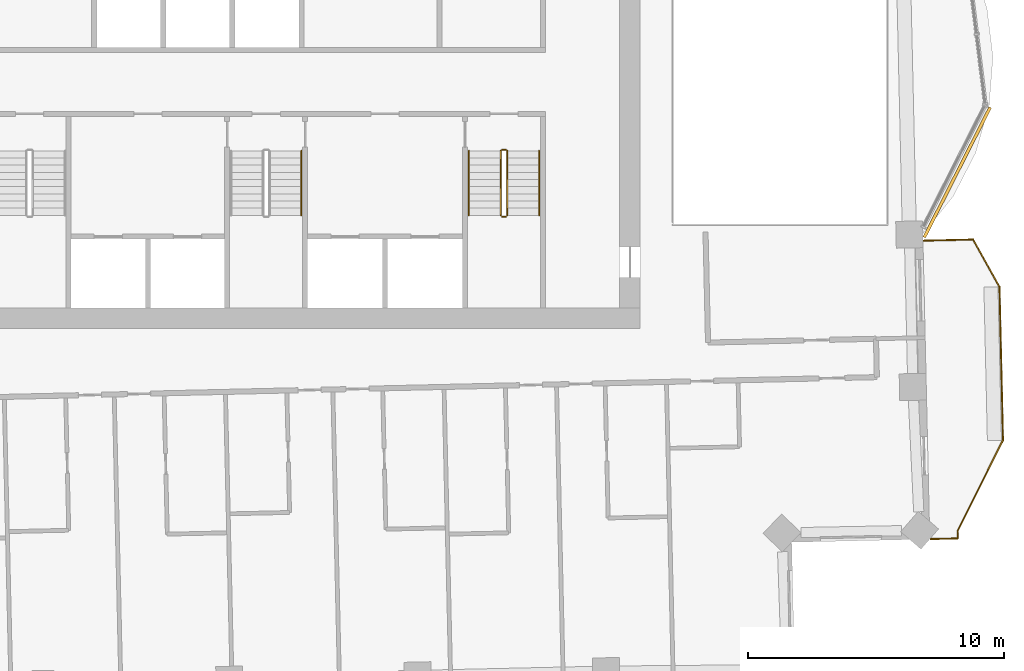
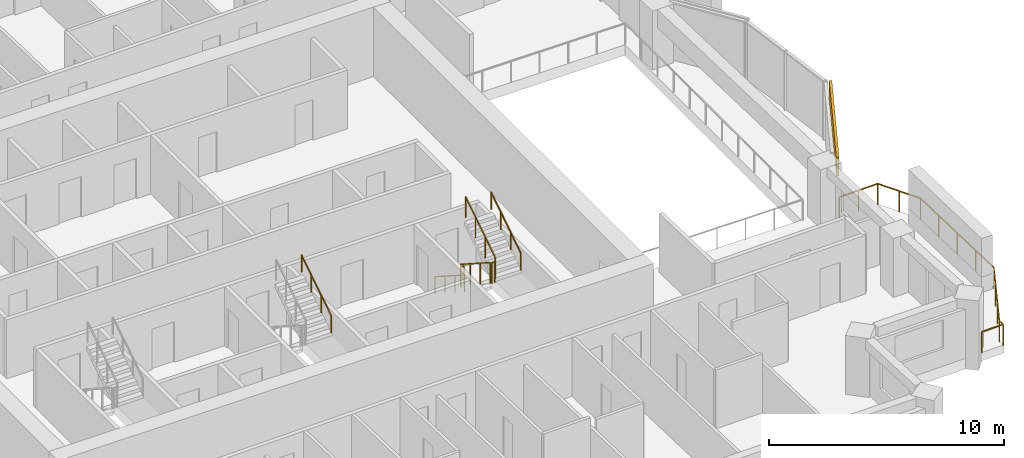
# One storey, part 16 of 17: 8 railings, 1 covering.
"""IFC4 building model written with IfcOpenShell, lengths in metres."""

from ifc_helpers import new_model, si_unit, direction, frame, frame_2d, origin, origin_2d, place, context, subcontext, project, spatial, rectangle, circle, extrude, material, layer, layer_set, type_object, element, save


model = new_model("IFC4")

# Units and contexts
model_context = context("Model", 3, precision=1e-05, world=origin(), true_north=direction((0.0, 1.0)))
body_context = subcontext(model_context, "Body", "Model", "MODEL_VIEW")
ifc_project = project(units=[si_unit("LENGTHUNIT", "METRE"), si_unit("AREAUNIT", "SQUARE_METRE"), si_unit("VOLUMEUNIT", "CUBIC_METRE"), si_unit("PLANEANGLEUNIT", "RADIAN"), si_unit("MASSUNIT", "GRAM", prefix="KILO")], contexts=[model_context])

# Site, building, storey
site_placement = place(None, origin())
site = spatial("IfcSite", under=ifc_project, at=site_placement, CompositionType="ELEMENT")
building_placement = place(site_placement, origin())
building = spatial("IfcBuilding", under=site, at=building_placement, Name="Mangrove Gate Tower", CompositionType="ELEMENT")
storey_placement = place(building_placement, frame((0.0, 0.0, 241.89990234375)))
storey = spatial("IfcBuildingStorey", under=building, at=storey_placement, Name="L61", CompositionType="ELEMENT", Elevation=241.89990234375)

# Railings
ifc_material_1 = material(Name="Stainless steel grade 316 with laminated glass infill", Category="steel")
railing_type_1 = type_object("IfcRailingType", Name="Balcony guard 1100", PredefinedType="GUARDRAIL", material=ifc_material_1)
railing_1_placement = place(storey_placement, frame((25.964111328125, -19.8291015625, 0.0)))
element("IfcRailing", 1, at=railing_1_placement, inside=storey, type_object=railing_type_1, Name="GUARD L61 E1", PredefinedType="GUARDRAIL", context=body_context, shape_type="SweptSolid", body=[
    extrude(rectangle(XDim=0.048095703125, YDim=0.048095703125, at=origin_2d()), frame((0.0, 0.0, 1.076171875), z_axis=(0.999739569486, 0.022820894023, 0.0), x_axis=(-0.022820894023, 0.999739569486, 0.0)), (0.0, 0.0, 1.0), 1.05908203125),
    extrude(rectangle(XDim=0.048095703125, YDim=0.048095703125, at=origin_2d()), frame((1.058837890625, 0.024169921875, 1.076171875), z_axis=(-0.022776839769, 0.999740574134, 0.0), x_axis=(-0.999740574134, -0.022776839769, 0.0)), (0.0, 0.0, 1.0), 0.300048828125),
    extrude(rectangle(XDim=0.048095703125, YDim=0.048095703125, at=origin_2d()), frame((1.052001953125, 0.32421875, 1.076171875), z_axis=(0.447336926491, 0.894365514875, 0.0), x_axis=(-0.894365514875, 0.447336926491, 0.0)), (0.0, 0.0, 1.0), 3.958984375),
    extrude(rectangle(XDim=0.048095703125, YDim=0.048095703125, at=origin_2d()), frame((2.822998046875, 3.864990234375, 1.076171875), z_axis=(-0.022869302197, 0.999738463308, 0.0), x_axis=(-0.999738463308, -0.022869302197, 0.0)), (0.0, 0.0, 1.0), 5.99951171875),
    extrude(rectangle(XDim=0.048095703125, YDim=0.048095703125, at=origin_2d()), frame((2.685791015625, 9.863037109375, 1.076171875), z_axis=(-0.487098711433, 0.873346921515, 0.0), x_axis=(-0.873346921515, -0.487098711433, 0.0)), (0.0, 0.0, 1.0), 2.12060546875),
    extrude(rectangle(XDim=0.048095703125, YDim=0.048095703125, at=origin_2d()), frame((1.65283203125, 11.715087890625, 1.076171875), z_axis=(-0.999737613728, -0.02290641172, 0.0), x_axis=(0.02290641172, -0.999737613728, 0.0)), (0.0, 0.0, 1.0), 1.91845703125),
    extrude(rectangle(XDim=0.0419921875, YDim=0.0419921875, at=origin_2d()), origin(), (0.0, 0.0, 1.0), 1.052001953125),
    extrude(rectangle(XDim=0.0419921875, YDim=0.0419921875, at=origin_2d()), frame((1.058837890625, 0.024169921875, 0.0)), (0.0, 0.0, 1.0), 1.052001953125),
    extrude(rectangle(XDim=0.0419921875, YDim=0.0419921875, at=origin_2d()), frame((1.052001953125, 0.32421875, 0.0)), (0.0, 0.0, 1.0), 1.052001953125),
    extrude(rectangle(XDim=0.0419921875, YDim=0.0419921875, at=origin_2d()), frame((1.642333984375, 1.50439453125, 0.0)), (0.0, 0.0, 1.0), 1.052001953125),
    extrude(rectangle(XDim=0.0419921875, YDim=0.0419921875, at=origin_2d()), frame((2.232666015625, 2.684814453125, 0.0)), (0.0, 0.0, 1.0), 1.052001953125),
    extrude(rectangle(XDim=0.0419921875, YDim=0.0419921875, at=origin_2d()), frame((2.822998046875, 3.864990234375, 0.0)), (0.0, 0.0, 1.0), 1.052001953125),
    extrude(rectangle(XDim=0.0419921875, YDim=0.0419921875, at=origin_2d()), frame((2.78857421875, 5.364501953125, 0.0)), (0.0, 0.0, 1.0), 1.052001953125),
    extrude(rectangle(XDim=0.0419921875, YDim=0.0419921875, at=origin_2d()), frame((2.75439453125, 6.864013671875, 0.0)), (0.0, 0.0, 1.0), 1.052001953125),
    extrude(rectangle(XDim=0.0419921875, YDim=0.0419921875, at=origin_2d()), frame((2.72021484375, 8.363525390625, 0.0)), (0.0, 0.0, 1.0), 1.052001953125),
    extrude(rectangle(XDim=0.0419921875, YDim=0.0419921875, at=origin_2d()), frame((2.685791015625, 9.863037109375, 0.0)), (0.0, 0.0, 1.0), 1.052001953125),
    extrude(rectangle(XDim=0.0419921875, YDim=0.0419921875, at=origin_2d()), frame((2.16943359375, 10.7890625, 0.0)), (0.0, 0.0, 1.0), 1.052001953125),
    extrude(rectangle(XDim=0.0419921875, YDim=0.0419921875, at=origin_2d()), frame((1.65283203125, 11.715087890625, 0.0)), (0.0, 0.0, 1.0), 1.052001953125),
    extrude(rectangle(XDim=0.0419921875, YDim=0.0419921875, at=origin_2d()), frame((0.69384765625, 11.693115234375, 0.0)), (0.0, 0.0, 1.0), 1.052001953125),
    extrude(rectangle(XDim=0.0419921875, YDim=0.0419921875, at=origin_2d()), frame((-0.26513671875, 11.671142578125, 0.0)), (0.0, 0.0, 1.0), 1.052001953125),
])
ifc_material_2 = material(Name="Stainless steel 316", Category="steel")
railing_type_2 = type_object("IfcRailingType", Name="Core stair guard 1100", PredefinedType="GUARDRAIL", material=ifc_material_2)
railing_2_placement = place(storey_placement, frame((9.14990234375, -4.64990234375, 0.18017578125)))
element("IfcRailing", 2, at=railing_2_placement, inside=storey, type_object=railing_type_2, Name="L61 ST3 stair guard 1", PredefinedType="GUARDRAIL", context=body_context, shape_type="SweptSolid", body=[
    extrude(rectangle(XDim=0.048095703125, YDim=0.048095703125, at=origin_2d()), frame((0.0, 0.0, 1.076171875), z_axis=(0.0, -0.841199657755, 0.540724639528), x_axis=(1.0, 0.0, 0.0)), (0.0, 0.0, 1.0), 2.995849609375),
    extrude(rectangle(XDim=0.0419921875, YDim=0.0419921875, at=origin_2d()), origin(), (0.0, 0.0, 1.0), 1.052001953125),
    extrude(rectangle(XDim=0.0419921875, YDim=0.0419921875, at=origin_2d()), frame((0.0, -0.840087890625, 0.5400390625)), (0.0, 0.0, 1.0), 1.052001953125),
    extrude(rectangle(XDim=0.0419921875, YDim=0.0419921875, at=origin_2d()), frame((0.0, -1.679931640625, 1.079833984375)), (0.0, 0.0, 1.0), 1.052001953125),
    extrude(rectangle(XDim=0.0419921875, YDim=0.0419921875, at=origin_2d()), frame((0.0, -2.52001953125, 1.619873046875)), (0.0, 0.0, 1.0), 1.052001953125),
])
railing_3_placement = place(storey_placement, frame((9.199951171875, -7.219970703125, 1.800048828125)))
element("IfcRailing", 3, at=railing_3_placement, inside=storey, type_object=railing_type_2, Name="L61 ST3 stair guard 2", PredefinedType="GUARDRAIL", context=body_context, shape_type="SweptSolid", body=[
    extrude(rectangle(XDim=0.048095703125, YDim=0.048095703125, at=origin_2d()), frame((0.0, 0.0, 1.076171875), z_axis=(1.0, 0.0, 0.0), x_axis=(0.0, 1.0, 0.0)), (0.0, 0.0, 1.0), 0.150146484375),
    extrude(rectangle(XDim=0.0419921875, YDim=0.0419921875, at=origin_2d()), origin(), (0.0, 0.0, 1.0), 1.052001953125),
    extrude(rectangle(XDim=0.0419921875, YDim=0.0419921875, at=origin_2d()), frame((0.150146484375, 0.0, 0.0)), (0.0, 0.0, 1.0), 1.052001953125),
])
railing_4_placement = place(storey_placement, frame((9.39990234375, -7.169921875, 1.97998046875)))
element("IfcRailing", 4, at=railing_4_placement, inside=storey, type_object=railing_type_2, Name="L61 ST3 stair guard 3", PredefinedType="GUARDRAIL", context=body_context, shape_type="SweptSolid", body=[
    extrude(rectangle(XDim=0.048095703125, YDim=0.048095703125, at=origin_2d()), frame((0.0, 0.0, 1.076171875), z_axis=(0.0, 0.841162588446, 0.540782303519), x_axis=(-1.0, 0.0, 0.0)), (0.0, 0.0, 1.0), 2.995849609375),
    extrude(rectangle(XDim=0.0419921875, YDim=0.0419921875, at=origin_2d()), origin(), (0.0, 0.0, 1.0), 1.052001953125),
    extrude(rectangle(XDim=0.0419921875, YDim=0.0419921875, at=origin_2d()), frame((0.0, 0.840087890625, 0.5400390625)), (0.0, 0.0, 1.0), 1.052001953125),
    extrude(rectangle(XDim=0.0419921875, YDim=0.0419921875, at=origin_2d()), frame((0.0, 1.679931640625, 1.080078125)), (0.0, 0.0, 1.0), 1.052001953125),
    extrude(rectangle(XDim=0.0419921875, YDim=0.0419921875, at=origin_2d()), frame((0.0, 2.52001953125, 1.6201171875)), (0.0, 0.0, 1.0), 1.052001953125),
])
railing_5_placement = place(storey_placement, frame((9.199951171875, -4.60009765625, 0.0)))
element("IfcRailing", 5, at=railing_5_placement, inside=storey, type_object=railing_type_2, Name="L61 ST3 stair guard 4", PredefinedType="GUARDRAIL", context=body_context, shape_type="SweptSolid", body=[
    extrude(rectangle(XDim=0.048095703125, YDim=0.048095703125, at=origin_2d()), frame((0.0, 0.0, 1.076171875), z_axis=(1.0, 0.0, 0.0), x_axis=(0.0, 1.0, 0.0)), (0.0, 0.0, 1.0), 0.150146484375),
    extrude(rectangle(XDim=0.0419921875, YDim=0.0419921875, at=origin_2d()), origin(), (0.0, 0.0, 1.0), 1.052001953125),
    extrude(rectangle(XDim=0.0419921875, YDim=0.0419921875, at=origin_2d()), frame((0.150146484375, 0.0, 0.0)), (0.0, 0.0, 1.0), 1.052001953125),
])
ifc_material_3 = material(Name="Stainless steel 316", Category="steel")
railing_type_3 = type_object("IfcRailingType", Name="Core stair handrail 900", PredefinedType="HANDRAIL", material=ifc_material_3)
railing_6_placement = place(storey_placement, frame((1.35009765625, -7.169921875, 1.97998046875)))
element("IfcRailing", 6, at=railing_6_placement, inside=storey, type_object=railing_type_3, Name="L61 ST2 stair handrail 2", PredefinedType="HANDRAIL", context=body_context, shape_type="SweptSolid", body=[
    extrude(circle(Radius=0.02392578125, at=origin_2d()), frame((0.0, 0.0, 0.8759765625), z_axis=(0.0, 0.841162588446, 0.540782303519), x_axis=(-1.0, 0.0, 0.0)), (0.0, 0.0, 1.0), 2.995849609375),
    extrude(circle(Radius=0.02099609375, at=origin_2d()), origin(), (0.0, 0.0, 1.0), 0.851806640625),
    extrude(circle(Radius=0.02099609375, at=origin_2d()), frame((0.0, 0.840087890625, 0.5400390625)), (0.0, 0.0, 1.0), 0.851806640625),
    extrude(circle(Radius=0.02099609375, at=origin_2d()), frame((0.0, 1.679931640625, 1.080078125)), (0.0, 0.0, 1.0), 0.851806640625),
    extrude(circle(Radius=0.02099609375, at=origin_2d()), frame((0.0, 2.52001953125, 1.6201171875)), (0.0, 0.0, 1.0), 0.851806640625),
])
railing_7_placement = place(storey_placement, frame((7.89990234375, -4.64990234375, 0.18017578125)))
element("IfcRailing", 7, at=railing_7_placement, inside=storey, type_object=railing_type_3, Name="L61 ST3 stair handrail 1", PredefinedType="HANDRAIL", context=body_context, shape_type="SweptSolid", body=[
    extrude(circle(Radius=0.02392578125, at=origin_2d()), frame((0.0, 0.0, 0.8759765625), z_axis=(0.0, -0.841199657755, 0.540724639528), x_axis=(1.0, 0.0, 0.0)), (0.0, 0.0, 1.0), 2.995849609375),
    extrude(circle(Radius=0.02099609375, at=origin_2d()), origin(), (0.0, 0.0, 1.0), 0.851806640625),
    extrude(circle(Radius=0.02099609375, at=origin_2d()), frame((0.0, -0.840087890625, 0.5400390625)), (0.0, 0.0, 1.0), 0.851806640625),
    extrude(circle(Radius=0.02099609375, at=origin_2d()), frame((0.0, -1.679931640625, 1.079833984375)), (0.0, 0.0, 1.0), 0.851806640625),
    extrude(circle(Radius=0.02099609375, at=origin_2d()), frame((0.0, -2.52001953125, 1.619873046875)), (0.0, 0.0, 1.0), 0.851806640625),
])
railing_8_placement = place(storey_placement, frame((10.64990234375, -7.169921875, 1.97998046875)))
element("IfcRailing", 8, at=railing_8_placement, inside=storey, type_object=railing_type_3, Name="L61 ST3 stair handrail 2", PredefinedType="HANDRAIL", context=body_context, shape_type="SweptSolid", body=[
    extrude(circle(Radius=0.02392578125, at=origin_2d()), frame((0.0, 0.0, 0.8759765625), z_axis=(0.0, 0.841162588446, 0.540782303519), x_axis=(-1.0, 0.0, 0.0)), (0.0, 0.0, 1.0), 2.995849609375),
    extrude(circle(Radius=0.02099609375, at=origin_2d()), origin(), (0.0, 0.0, 1.0), 0.851806640625),
    extrude(circle(Radius=0.02099609375, at=origin_2d()), frame((0.0, 0.840087890625, 0.5400390625)), (0.0, 0.0, 1.0), 0.851806640625),
    extrude(circle(Radius=0.02099609375, at=origin_2d()), frame((0.0, 1.679931640625, 1.080078125)), (0.0, 0.0, 1.0), 0.851806640625),
    extrude(circle(Radius=0.02099609375, at=origin_2d()), frame((0.0, 2.52001953125, 1.6201171875)), (0.0, 0.0, 1.0), 0.851806640625),
])

# Covering
ifc_material_4 = material(Name="Limestone", Category="masonry")
ifc_layer_1 = layer(ifc_material_4, 0.0400390625, Name="Limestone cladding")
ifc_material_5 = material(Name="Stainless steel anchors and cavity", Category="steel")
ifc_layer_2 = layer(ifc_material_5, 0.080078125, Name="Fixing cavity")
ifc_layer_set = layer_set([ifc_layer_1, ifc_layer_2], Name="Joint fascia cladding 120")
covering_type = type_object("IfcCoveringType", Name="Joint fascia cladding 120", PredefinedType="CLADDING", material=ifc_layer_set)
covering_placement = place(storey_placement, frame((25.705810546875, -8.0322265625, 2.10009765625), z_axis=(0.0, 0.0, 1.0), x_axis=(0.452631638667, 0.891697594299, 0.0)))
element("IfcCovering", 9, at=covering_placement, inside=storey, type_object=covering_type, Name="STONE FASCIA L61 E1.L1", PredefinedType="CLADDING", context=body_context, shape_type="SweptSolid", body=[
    extrude(rectangle(XDim=5.705078125, YDim=0.1201171875, at=frame_2d((2.8525390625, 0.0))), origin(), (0.0, 0.0, 1.0), 0.949951171875),
])

save(model, "model.ifc")
